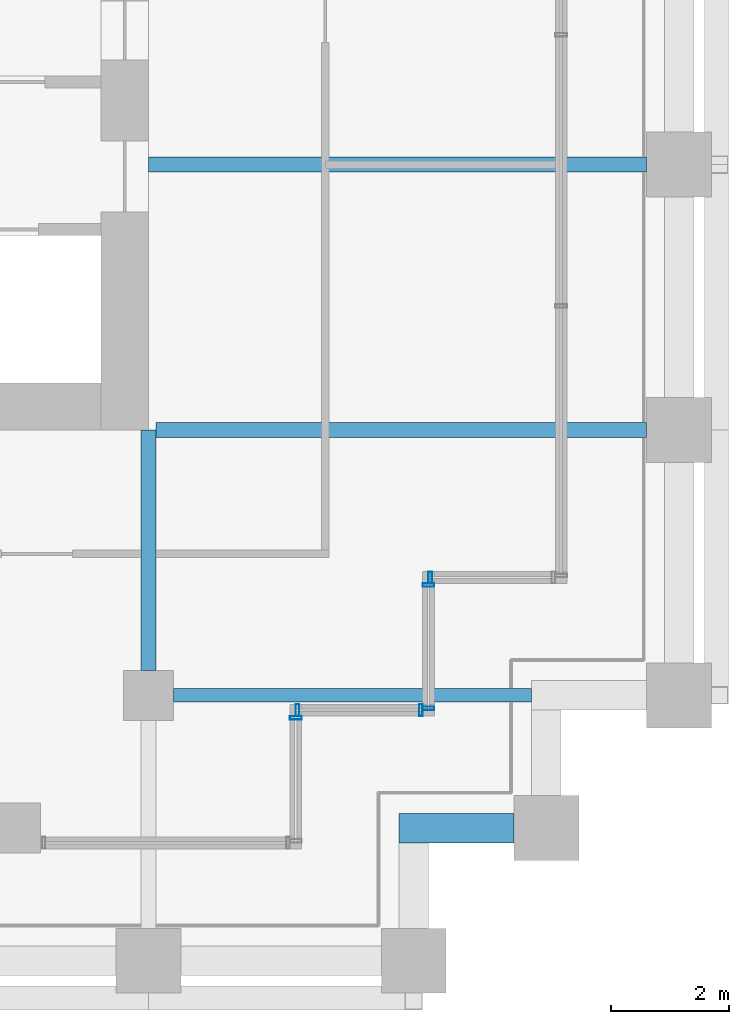
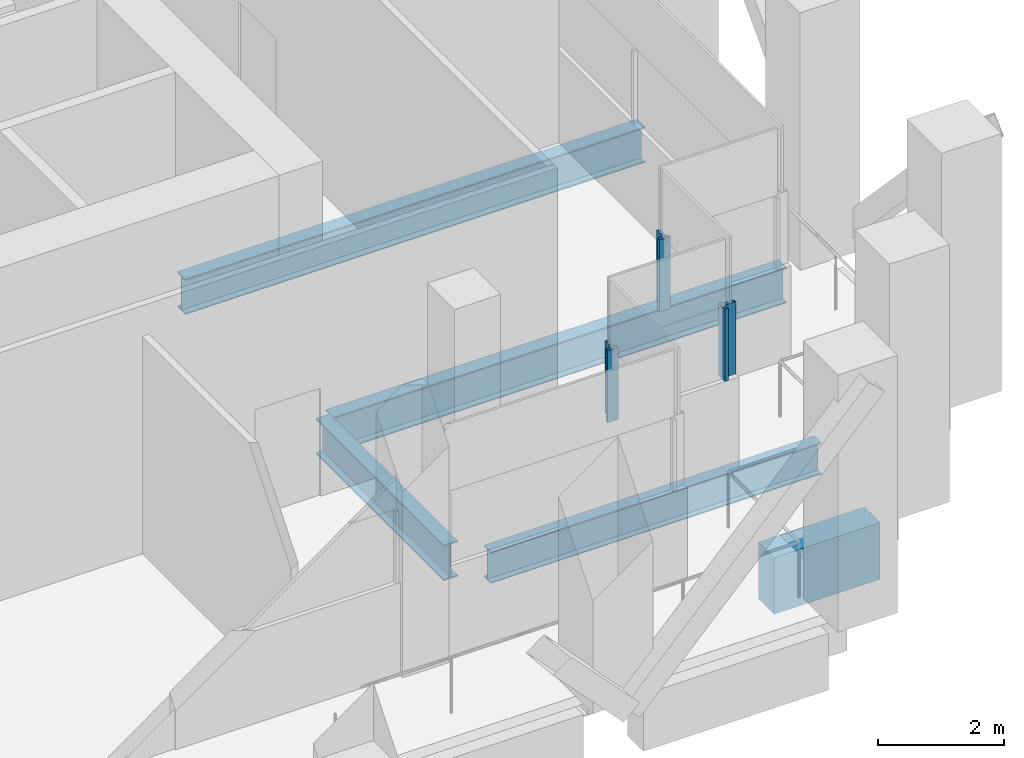
# One storey, part 27 of 44: 6 members, 5 beams, 4 elements without a shape of their own.
"""IFC4 building model written with IfcOpenShell, lengths in metres."""

from ifc_helpers import new_model, si_unit, direction, frame, origin, origin_2d, place, context, subcontext, project, spatial, rectangle, hollow_rectangle, i_section, extrude, material, material_profile, profile_set, type_object, element, aggregate, save


model = new_model("IFC4")

# Units and contexts
model_context = context("Model", 3, precision=1e-05, world=origin(), true_north=direction((0.0, 1.0)))
body_context = subcontext(model_context, "Body", "Model", "MODEL_VIEW")
ifc_project = project(units=[si_unit("LENGTHUNIT", "METRE"), si_unit("AREAUNIT", "SQUARE_METRE"), si_unit("VOLUMEUNIT", "CUBIC_METRE"), si_unit("PLANEANGLEUNIT", "RADIAN"), si_unit("MASSUNIT", "GRAM", prefix="KILO")], contexts=[model_context])

# Site, building, storey
site_placement = place(None, origin())
site = spatial("IfcSite", under=ifc_project, at=site_placement, CompositionType="ELEMENT")
building_placement = place(site_placement, origin())
building = spatial("IfcBuilding", under=site, at=building_placement, Name="Altepetl Exchange Towers", CompositionType="ELEMENT")
storey_placement = place(building_placement, frame((0.0, 0.0, 87.0)))
storey = spatial("IfcBuildingStorey", under=building, at=storey_placement, Name="L21 Refuge", CompositionType="ELEMENT", Elevation=87.0)

# Beams
ifc_material_1 = material(Name="Steel S355", Category="steel")
ifc_material_profile_1 = material_profile(ifc_material_1, i_section(OverallWidth=0.22802734375, OverallDepth=0.60791015625, WebThickness=0.01123046875, FlangeThickness=0.017333984375, at=origin_2d()), Name="W24X76")
ifc_profile_set_1 = profile_set([ifc_material_profile_1], Name="Steel S355")
beam_type_1 = type_object("IfcBeamType", Name="Floor beam W24X76", PredefinedType="BEAM", material=ifc_profile_set_1)
beam_1_placement = place(storey_placement, frame((117.425048828125, 31.5, -0.50390625), z_axis=(1.0, 0.0, 0.0), x_axis=(0.0, 1.0, 0.0)))
element("IfcBeam", 1, at=beam_1_placement, inside=storey, type_object=beam_type_1, Name="bm:B:L21:004", PredefinedType="BEAM", context=body_context, shape_type="SweptSolid", body=[
    extrude(i_section(OverallWidth=0.22802734375, OverallDepth=0.60791015625, WebThickness=0.01123046875, FlangeThickness=0.017333984375, at=origin_2d()), origin(), (0.0, 0.0, 1.0), 6.074951171875),
])
ifc_material_profile_2 = material_profile(ifc_material_1, i_section(OverallWidth=0.25390625, OverallDepth=0.68798828125, WebThickness=0.01318359375, FlangeThickness=0.02099609375, at=origin_2d()), Name="W27X102")
ifc_profile_set_2 = profile_set([ifc_material_profile_2], Name="Steel S355")
beam_type_2 = type_object("IfcBeamType", Name="Floor beam W27X102", PredefinedType="BEAM", material=ifc_profile_set_2)
beam_2_placement = place(storey_placement, frame((117.1279296875, 36.0, -0.5439453125), z_axis=(1.0, 0.0, 0.0), x_axis=(0.0, 1.0, 0.0)))
element("IfcBeam", 2, at=beam_2_placement, inside=storey, type_object=beam_type_2, Name="bm:B:L21:005", PredefinedType="BEAM", context=body_context, shape_type="SweptSolid", body=[
    extrude(i_section(OverallWidth=0.25390625, OverallDepth=0.68798828125, WebThickness=0.01318359375, FlangeThickness=0.02099609375, at=origin_2d()), origin(), (0.0, 0.0, 1.0), 8.322021484375),
])
beam_3_placement = place(storey_placement, frame((117.0, 40.5, -0.5439453125), z_axis=(1.0, 0.0, 0.0), x_axis=(0.0, 1.0, 0.0)))
element("IfcBeam", 3, at=beam_3_placement, inside=storey, type_object=beam_type_2, Name="bm:B:L21:006", PredefinedType="BEAM", context=body_context, shape_type="SweptSolid", body=[
    extrude(i_section(OverallWidth=0.25390625, OverallDepth=0.68798828125, WebThickness=0.01318359375, FlangeThickness=0.02099609375, at=origin_2d()), origin(), (0.0, 0.0, 1.0), 8.449951171875),
])
ifc_material_profile_3 = material_profile(ifc_material_1, i_section(OverallWidth=0.256103515625, OverallDepth=0.69189453125, WebThickness=0.014404296875, FlangeThickness=0.02294921875, at=origin_2d()), Name="W27X114")
ifc_profile_set_3 = profile_set([ifc_material_profile_3], Name="Steel S355")
beam_type_3 = type_object("IfcBeamType", Name="Girder W27X114", PredefinedType="BEAM", material=ifc_profile_set_3)
beam_4_placement = place(storey_placement, frame((117.0, 36.0, -0.5458984375), z_axis=(0.0, -1.0, 0.0), x_axis=(1.0, 0.0, 0.0)))
element("IfcBeam", 4, at=beam_4_placement, inside=storey, type_object=beam_type_3, Name="gd:B:L21:004", PredefinedType="BEAM", context=body_context, shape_type="SweptSolid", body=[
    extrude(i_section(OverallWidth=0.256103515625, OverallDepth=0.69189453125, WebThickness=0.014404296875, FlangeThickness=0.02294921875, at=origin_2d()), origin(), (0.0, 0.0, 1.0), 4.074951171875),
])

# Curtain wall, member
ifc_material_2 = material(Name="Aluminium 6063-T6 glazing", Category="aluminium")
curtain_wall_type = type_object("IfcCurtainWallType", Name="Refuge slit glazing system", PredefinedType="NOTDEFINED", material=ifc_material_2)
curtain_wall_1_placement = place(storey_placement, origin())
curtain_wall_1 = element("IfcCurtainWall", 5, at=curtain_wall_1_placement, inside=storey, type_object=curtain_wall_type, Name="CW3 run", PredefinedType="NOTDEFINED")
ifc_material_3 = material(Name="Aluminium 6063-T6", Category="aluminium")
ifc_material_profile_4 = material_profile(ifc_material_3, hollow_rectangle(XDim=0.06005859375, YDim=0.199951171875, WallThickness=0.0029296875, at=origin_2d()), Name="Mullion 60x200 aluminium")
ifc_profile_set_4 = profile_set([ifc_material_profile_4], Name="Aluminium 6063-T6")
member_type = type_object("IfcMemberType", Name="Mullion 60x200 aluminium", PredefinedType="MULLION", material=ifc_profile_set_4)
member_1_placement = place(storey_placement, frame((119.5, 31.1201171875, 1.800048828125), z_axis=(0.0, 0.0, 1.0), x_axis=(0.0, 1.0, 0.0)))
member_1 = element("IfcMember", 6, at=member_1_placement, type_object=member_type, Name="MU2 mullion", PredefinedType="MULLION", context=body_context, shape_type="SweptSolid", body=[
    extrude(hollow_rectangle(XDim=0.06005859375, YDim=0.199951171875, WallThickness=0.0029296875, at=origin_2d()), origin(), (0.0, 0.0, 1.0), 1.39990234375),
])
aggregate(curtain_wall_1, [member_1])

# Curtain wall, members
curtain_wall_2_placement = place(storey_placement, origin())
curtain_wall_2 = element("IfcCurtainWall", 7, at=curtain_wall_2_placement, inside=storey, type_object=curtain_wall_type, Name="CW3 run", PredefinedType="NOTDEFINED")
member_2_placement = place(storey_placement, frame((119.530029296875, 31.25, 1.800048828125)))
member_2 = element("IfcMember", 8, at=member_2_placement, type_object=member_type, Name="MU2 mullion", PredefinedType="MULLION", context=body_context, shape_type="SweptSolid", body=[
    extrude(hollow_rectangle(XDim=0.06005859375, YDim=0.199951171875, WallThickness=0.0029296875, at=origin_2d()), origin(), (0.0, 0.0, 1.0), 1.39990234375),
])
member_3_placement = place(storey_placement, frame((121.6201171875, 31.25, 1.800048828125)))
member_3 = element("IfcMember", 9, at=member_3_placement, type_object=member_type, Name="MU2 mullion", PredefinedType="MULLION", context=body_context, shape_type="SweptSolid", body=[
    extrude(hollow_rectangle(XDim=0.06005859375, YDim=0.199951171875, WallThickness=0.0029296875, at=origin_2d()), origin(), (0.0, 0.0, 1.0), 1.39990234375),
])
aggregate(curtain_wall_2, [member_2, member_3])

curtain_wall_3_placement = place(storey_placement, origin())
curtain_wall_3 = element("IfcCurtainWall", 10, at=curtain_wall_3_placement, inside=storey, type_object=curtain_wall_type, Name="CW3 run", PredefinedType="NOTDEFINED")
member_4_placement = place(storey_placement, frame((121.75, 31.280029296875, 1.800048828125), z_axis=(0.0, 0.0, 1.0), x_axis=(0.0, 1.0, 0.0)))
member_4 = element("IfcMember", 11, at=member_4_placement, type_object=member_type, Name="MU2 mullion", PredefinedType="MULLION", context=body_context, shape_type="SweptSolid", body=[
    extrude(hollow_rectangle(XDim=0.06005859375, YDim=0.199951171875, WallThickness=0.0029296875, at=origin_2d()), origin(), (0.0, 0.0, 1.0), 1.39990234375),
])
member_5_placement = place(storey_placement, frame((121.75, 33.3701171875, 1.800048828125), z_axis=(0.0, 0.0, 1.0), x_axis=(0.0, 1.0, 0.0)))
member_5 = element("IfcMember", 12, at=member_5_placement, type_object=member_type, Name="MU2 mullion", PredefinedType="MULLION", context=body_context, shape_type="SweptSolid", body=[
    extrude(hollow_rectangle(XDim=0.06005859375, YDim=0.199951171875, WallThickness=0.0029296875, at=origin_2d()), origin(), (0.0, 0.0, 1.0), 1.39990234375),
])
aggregate(curtain_wall_3, [member_4, member_5])

# Curtain wall, member
curtain_wall_4_placement = place(storey_placement, origin())
curtain_wall_4 = element("IfcCurtainWall", 13, at=curtain_wall_4_placement, inside=storey, type_object=curtain_wall_type, Name="CW3 run", PredefinedType="NOTDEFINED")
member_6_placement = place(storey_placement, frame((121.780029296875, 33.5, 1.800048828125)))
member_6 = element("IfcMember", 14, at=member_6_placement, type_object=member_type, Name="MU2 mullion", PredefinedType="MULLION", context=body_context, shape_type="SweptSolid", body=[
    extrude(hollow_rectangle(XDim=0.06005859375, YDim=0.199951171875, WallThickness=0.0029296875, at=origin_2d()), origin(), (0.0, 0.0, 1.0), 1.39990234375),
])
aggregate(curtain_wall_4, [member_6])

# Beam
ifc_material_4 = material(Name="Concrete C50/60 precast with cantera blanca facing", Category="concrete")
ifc_material_profile_5 = material_profile(ifc_material_4, rectangle(XDim=0.5, YDim=1.10009765625, at=origin_2d()), Name="500 x 1100")
ifc_profile_set_5 = profile_set([ifc_material_profile_5], Name="Concrete C50/60 precast with cantera blanca facing")
beam_type_4 = type_object("IfcBeamType", Name="Spandrel beam 500x1100 cantera blanca", PredefinedType="SPANDREL", material=ifc_profile_set_5)
beam_5_placement = place(storey_placement, frame((121.25, 29.25, -0.75), z_axis=(1.0, 0.0, 0.0), x_axis=(0.0, 1.0, 0.0)))
element("IfcBeam", 15, at=beam_5_placement, inside=storey, type_object=beam_type_4, Name="sp:B:L21:006", PredefinedType="SPANDREL", context=body_context, shape_type="SweptSolid", body=[
    extrude(rectangle(XDim=0.5, YDim=1.10009765625, at=origin_2d()), origin(), (0.0, 0.0, 1.0), 1.949951171875),
])

save(model, "model.ifc")
